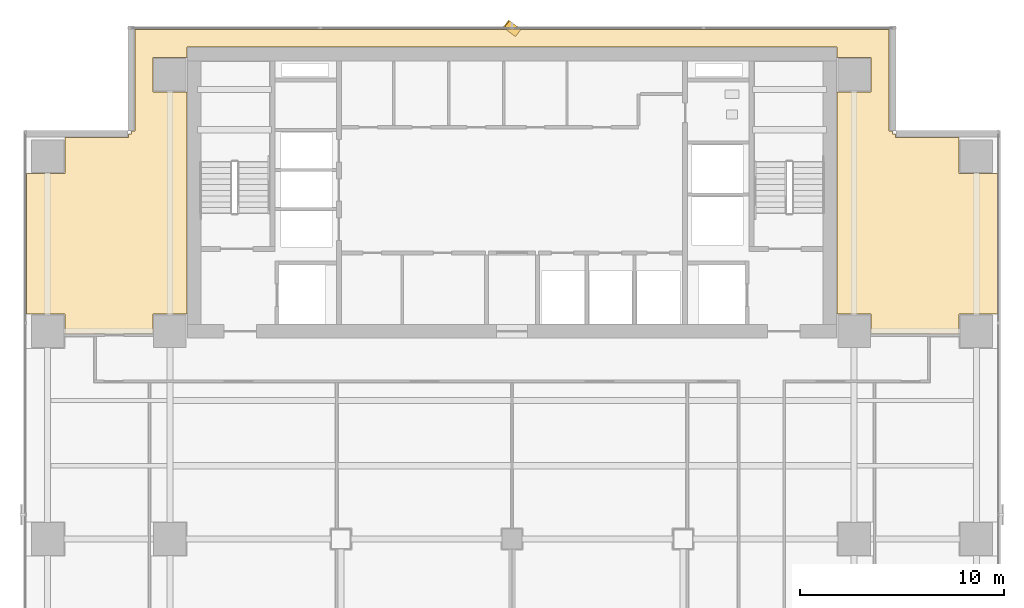
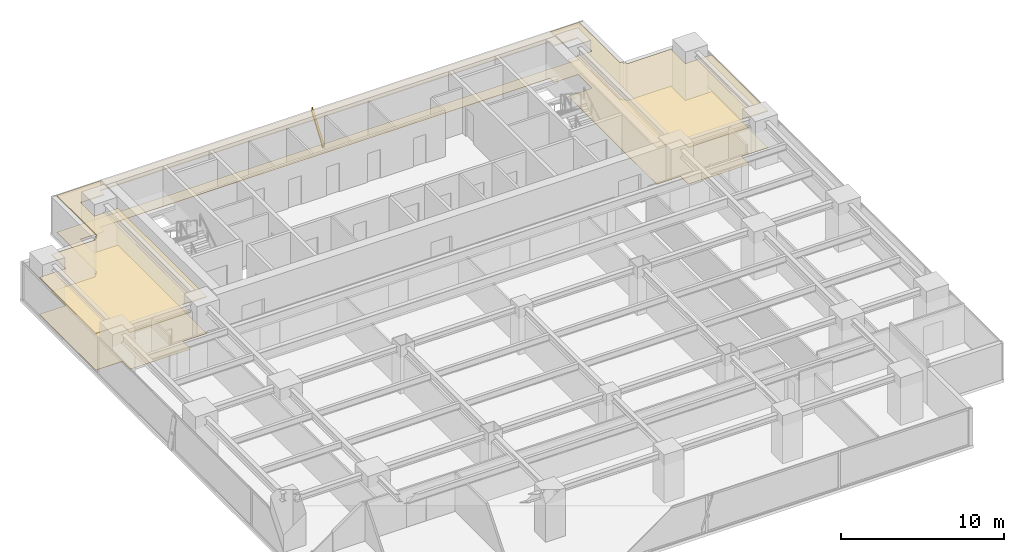
# One storey, part 26 of 28: 2 coverings, 1 shading device.
"""IFC4 building model written with IfcOpenShell, lengths in metres."""

from ifc_helpers import new_model, si_unit, direction, frame, origin, origin_2d, place, context, subcontext, project, spatial, polyline, rectangle, outline, extrude, source, transform, mapped, material, layer, layer_set, material_profile, profile_set, type_object, element, save


model = new_model("IFC4")

# Units and contexts
model_context = context("Model", 3, precision=1e-05, world=origin(), true_north=direction((0.0, 1.0)))
body_context = subcontext(model_context, "Body", "Model", "MODEL_VIEW")
ifc_project = project(units=[si_unit("LENGTHUNIT", "METRE"), si_unit("AREAUNIT", "SQUARE_METRE"), si_unit("VOLUMEUNIT", "CUBIC_METRE"), si_unit("PLANEANGLEUNIT", "RADIAN"), si_unit("MASSUNIT", "GRAM", prefix="KILO")], contexts=[model_context])

# Site, building, storey
site_placement = place(None, origin())
site = spatial("IfcSite", under=ifc_project, at=site_placement, CompositionType="ELEMENT")
building_placement = place(site_placement, origin())
building = spatial("IfcBuilding", under=site, at=building_placement, Name="Sumidabori Civic Tower", CompositionType="ELEMENT")
storey_placement = place(building_placement, frame((0.0, 0.0, 178.39990234375)))
storey = spatial("IfcBuildingStorey", under=building, at=storey_placement, Name="L46", CompositionType="ELEMENT", Elevation=178.39990234375)

# Coverings
ifc_material_1 = material(Name="Gypsum Coffered Acoustic Ceiling")
ifc_layer_1 = layer(ifc_material_1, 0.06494140625, Name="Gypsum Coffered Acoustic Ceiling")
ifc_layer_set_1 = layer_set([ifc_layer_1], Name="Gypsum Coffered Acoustic Ceiling")
covering_type_1 = type_object("IfcCoveringType", Name="CV-CEIL-AC4", PredefinedType="CEILING", material=ifc_layer_set_1)
covering_1_placement = place(storey_placement, frame((0.0, 0.0, 2.72998046875)))
element("IfcCovering", 1, at=covering_1_placement, inside=storey, type_object=covering_type_1, Name="Room Acoustic Ceiling L46-01", PredefinedType="CEILING", context=body_context, shape_type="SweptSolid", body=[
    extrude(outline(polyline([(-23.830078125, 17.9599609375), (-21.9599609375, 17.9599609375), (-21.9599609375, 19.721923828125), (-18.842041015625, 19.721923828125), (-18.842041015625, 19.8798828125), (-18.679931640625, 19.8798828125), (-18.679931640625, 20.0419921875), (-18.52197265625, 20.0419921875), (-18.52197265625, 25.030029296875), (18.52197265625, 25.030029296875), (18.52197265625, 20.0419921875), (18.679931640625, 20.0419921875), (18.679931640625, 19.8798828125), (18.842041015625, 19.8798828125), (18.842041015625, 19.721923828125), (21.9599609375, 19.721923828125), (21.9599609375, 17.9599609375), (23.830078125, 17.9599609375), (23.830078125, 11.0400390625), (21.9599609375, 11.0400390625), (21.9599609375, 10.080078125), (20.5400390625, 10.080078125), (20.5400390625, 10.090087890625), (17.639892578125, 10.090087890625), (17.639892578125, 11.0400390625), (15.952880859375, 11.0400390625), (15.952880859375, 21.9599609375), (17.639892578125, 21.9599609375), (17.639892578125, 23.639892578125), (15.952880859375, 23.639892578125), (15.952880859375, 24.153076171875), (-15.952880859375, 24.153076171875), (-15.952880859375, 23.639892578125), (-17.639892578125, 23.639892578125), (-17.639892578125, 21.9599609375), (-15.952880859375, 21.9599609375), (-15.952880859375, 11.0400390625), (-17.639892578125, 11.0400390625), (-17.639892578125, 10.090087890625), (-20.5400390625, 10.090087890625), (-20.5400390625, 10.080078125), (-21.9599609375, 10.080078125), (-21.9599609375, 11.0400390625), (-23.830078125, 11.0400390625), (-23.830078125, 17.9599609375)])), origin(), (0.0, 0.0, 1.0), 0.065185546875),
])
ifc_material_2 = material(Name="Honed Terrazzo Tile Flooring")
ifc_layer_2 = layer(ifc_material_2, 0.030029296875, Name="Honed Terrazzo Tile Flooring")
ifc_layer_set_2 = layer_set([ifc_layer_2], Name="Honed Terrazzo Tile Flooring")
covering_type_2 = type_object("IfcCoveringType", Name="CV-FLR-TER", PredefinedType="FLOORING", material=ifc_layer_set_2)
covering_2_placement = place(storey_placement, origin())
element("IfcCovering", 2, at=covering_2_placement, inside=storey, type_object=covering_type_2, Name="Room Terrazzo Floor L46-01", PredefinedType="FLOORING", context=body_context, shape_type="SweptSolid", body=[
    extrude(outline(polyline([(-23.830078125, 17.9599609375), (-21.9599609375, 17.9599609375), (-21.9599609375, 19.721923828125), (-18.842041015625, 19.721923828125), (-18.842041015625, 19.8798828125), (-18.679931640625, 19.8798828125), (-18.679931640625, 20.0419921875), (-18.52197265625, 20.0419921875), (-18.52197265625, 25.030029296875), (18.52197265625, 25.030029296875), (18.52197265625, 20.0419921875), (18.679931640625, 20.0419921875), (18.679931640625, 19.8798828125), (18.842041015625, 19.8798828125), (18.842041015625, 19.721923828125), (21.9599609375, 19.721923828125), (21.9599609375, 17.9599609375), (23.830078125, 17.9599609375), (23.830078125, 11.0400390625), (21.9599609375, 11.0400390625), (21.9599609375, 10.080078125), (20.5400390625, 10.080078125), (20.5400390625, 10.090087890625), (17.639892578125, 10.090087890625), (17.639892578125, 11.0400390625), (15.952880859375, 11.0400390625), (15.952880859375, 21.9599609375), (17.639892578125, 21.9599609375), (17.639892578125, 23.639892578125), (15.952880859375, 23.639892578125), (15.952880859375, 24.153076171875), (-15.952880859375, 24.153076171875), (-15.952880859375, 23.639892578125), (-17.639892578125, 23.639892578125), (-17.639892578125, 21.9599609375), (-15.952880859375, 21.9599609375), (-15.952880859375, 11.0400390625), (-17.639892578125, 11.0400390625), (-17.639892578125, 10.090087890625), (-20.5400390625, 10.090087890625), (-20.5400390625, 10.080078125), (-21.9599609375, 10.080078125), (-21.9599609375, 11.0400390625), (-23.830078125, 11.0400390625), (-23.830078125, 17.9599609375)])), origin(), (0.0, 0.0, 1.0), 0.030029296875),
])

# Shading device
ifc_material_3 = material(Name="Anodised Bronze Aluminium AW-6063-T6", Category="aluminium")
ifc_material_profile = material_profile(ifc_material_3, rectangle(XDim=0.06005859375, YDim=0.449951171875, at=origin_2d()), Name="BRONZE FIN 450x60")
ifc_profile_set = profile_set([ifc_material_profile], Name="Anodised Bronze Aluminium AW-6063-T6")
shading_device_type = type_object("IfcShadingDeviceType", Name="SH-FIN-450", PredefinedType="USERDEFINED", material=ifc_profile_set)
shared_shape = source(origin(), body_context, "Body", "SweptSolid", [
    extrude(rectangle(XDim=0.06005859375, YDim=0.449951171875, at=origin_2d()), origin(), (0.0, 0.0, 1.0), 2.78955078125),
])
shading_device_placement = place(storey_placement, frame((0.280029296875, 24.8701171875, 0.02001953125), z_axis=(-0.20077712468, 0.150539082149, 0.968001307308), x_axis=(0.774482065205, -0.580692742874, 0.250945151476)))
element("IfcShadingDevice", 3, at=shading_device_placement, inside=storey, type_object=shading_device_type, Name="Bronze Anodised Diagonal Fin L46-02", ObjectType="FIN", PredefinedType="USERDEFINED", context=body_context, shape_type="MappedRepresentation", body=[
    mapped(shared_shape, transform((0.0, 0.0, 0.0), x_axis=(1.0, 0.0, 0.0), y_axis=(0.0, 1.0, 0.0), z_axis=(0.0, 0.0, 1.0), scale=1.0)),
])

save(model, "model.ifc")
